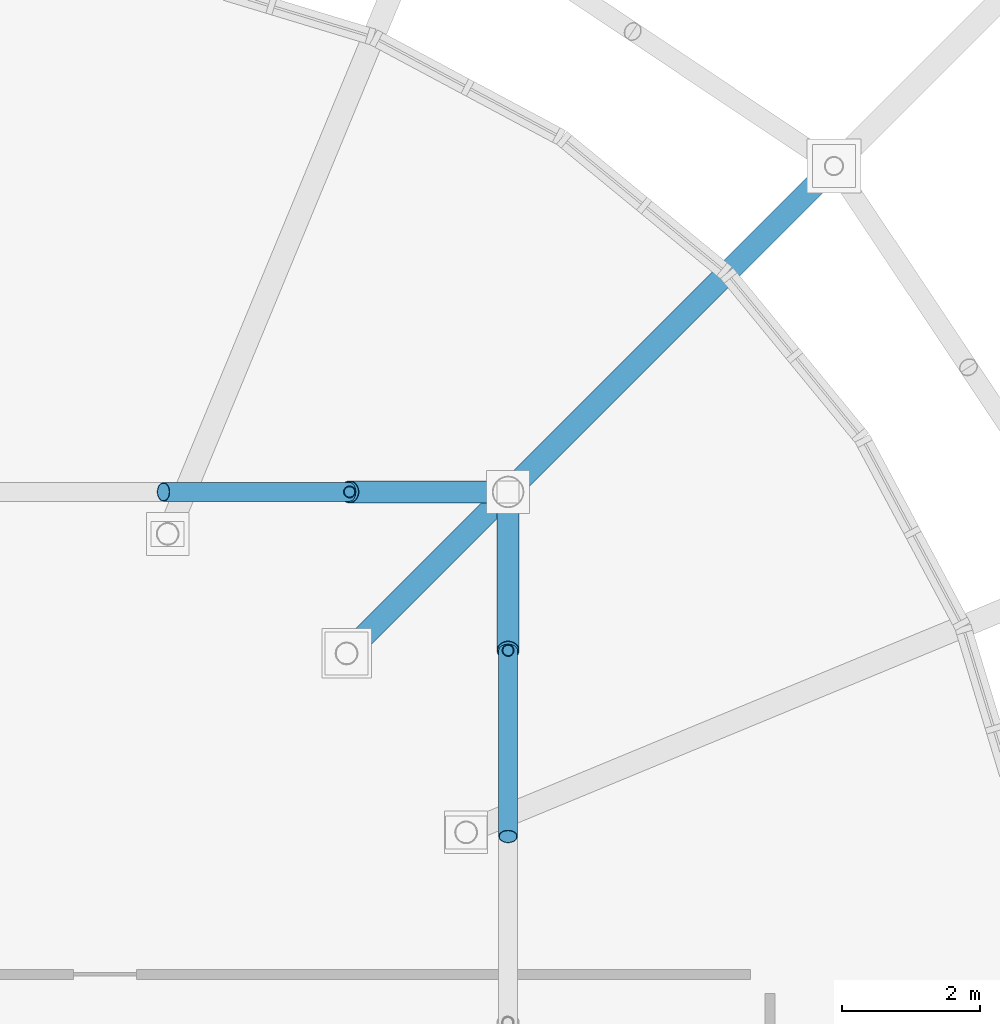
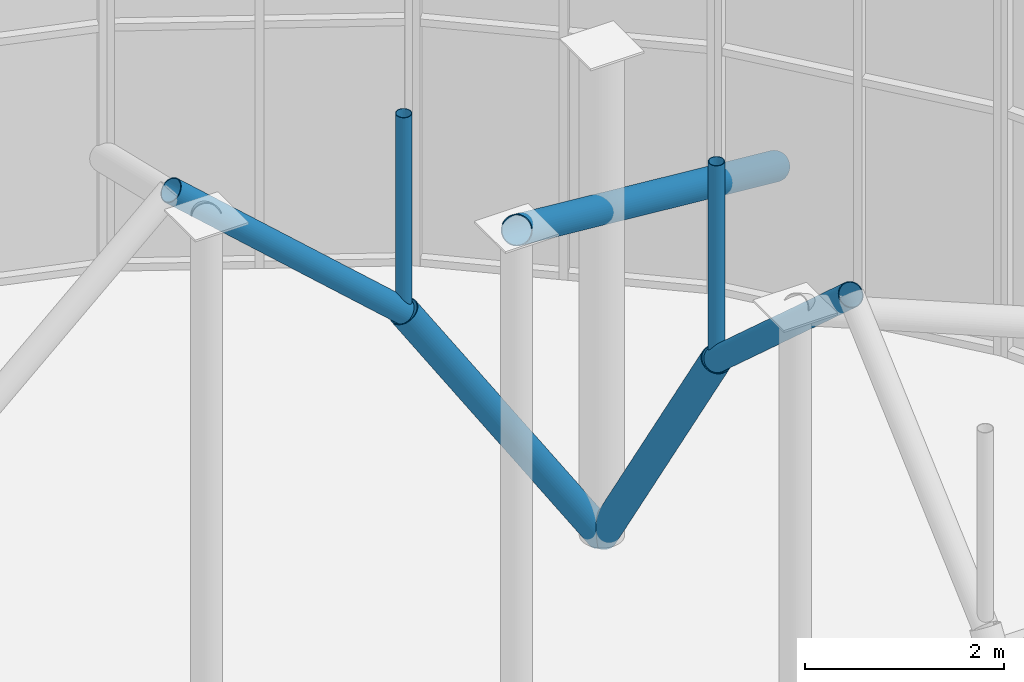
# One storey, part 77 of 109: 7 members.
"""IFC4 building model written with IfcOpenShell, lengths in metres."""

from ifc_helpers import new_model, si_unit, derived_unit, direction, frame, origin, origin_2d_with_axis, place, context, subcontext, project, spatial, hollow_circle, extrude, material, material_profile, profile_set, type_object, element, save


model = new_model("IFC4")

# Units and contexts
model_context = context("Model", 3, precision=1e-05, world=origin(), true_north=direction((0.0, 1.0)))
body_context = subcontext(model_context, "Body", "Model", "MODEL_VIEW")
ifc_project = project(units=[si_unit("LENGTHUNIT", "METRE"), si_unit("AREAUNIT", "SQUARE_METRE"), si_unit("VOLUMEUNIT", "CUBIC_METRE"), si_unit("PLANEANGLEUNIT", "RADIAN"), si_unit("MASSUNIT", "GRAM", prefix="KILO"), derived_unit("THERMALTRANSMITTANCEUNIT", [(si_unit("POWERUNIT", "WATT"), 1), (si_unit("LENGTHUNIT", "METRE"), -2), (si_unit("THERMODYNAMICTEMPERATUREUNIT", "KELVIN"), -1)])], contexts=[model_context])

# Site, building, storey
site_placement = place(None, origin())
site = spatial("IfcSite", under=ifc_project, at=site_placement, CompositionType="ELEMENT")
building_placement = place(site_placement, origin())
building = spatial("IfcBuilding", under=site, at=building_placement, Name="Cinnabar Yard Market Hall", CompositionType="ELEMENT")
storey_placement = place(building_placement, frame((0.0, 0.0, 8.39990234375)))
storey = spatial("IfcBuildingStorey", under=building, at=storey_placement, Name="L02", CompositionType="ELEMENT", Elevation=8.39990234375)

# Members
ifc_material_1 = material(Name="Spotted-gum glulam-clad steel Grade 350 (350 MPa)", Category="steel")
ifc_material_profile_1 = material_profile(ifc_material_1, hollow_circle(Radius=0.136474609375, WallThickness=0.00927734375, at=origin_2d_with_axis()), Name="273.1x9.3CHS")
ifc_profile_set_1 = profile_set([ifc_material_profile_1], Name="Spotted-gum glulam-clad steel Grade 350 (350 MPa)")
member_type_1 = type_object("IfcMemberType", Name="MB-AR01", PredefinedType="USERDEFINED", material=ifc_profile_set_1)
for number, where, z_axis, x_axis, name in (
    (1, (153.699951171875, 64.0, 3.550048828125), (-0.743297488271, 0.0, 0.668961018244), (0.0, -1.0, 0.0), "Pointed Arch Rib 0143"),
    (2, (156.0, 61.699951171875, 3.550048828125), (0.0, -0.743297488271, 0.668961018244), (1.0, 0.0, 0.0), "Pointed Arch Rib 0144"),
):
    element("IfcMember", number, at=place(storey_placement, frame(where, z_axis=z_axis, x_axis=x_axis)), inside=storey, type_object=member_type_1, Name=name, ObjectType="ARCH RIB", PredefinedType="USERDEFINED", context=body_context, shape_type="SweptSolid", body=[
        extrude(hollow_circle(Radius=0.136474609375, WallThickness=0.00927734375, at=origin_2d_with_axis()), origin(), (0.0, 0.0, 1.0), 3.63232421875),
    ])
ifc_material_profile_2 = material_profile(ifc_material_1, hollow_circle(Radius=0.161865234375, WallThickness=0.009521484375, at=origin_2d_with_axis()), Name="323.9x9.5CHS")
ifc_profile_set_2 = profile_set([ifc_material_profile_2], Name="Spotted-gum glulam-clad steel Grade 350 (350 MPa)")
member_type_2 = type_object("IfcMemberType", Name="MB-ST01", PredefinedType="STRUT", material=ifc_profile_set_2)
for number, where, z_axis, x_axis, name in (
    (3, (156.0, 64.0, 0.0), (-0.543744165176, 0.0, 0.839251024925), (0.0, -1.0, 0.0), "Curved Branch Arm Lower 0143"),
    (4, (156.0, 64.0, 0.0), (0.0, -0.543744165176, 0.839251024925), (1.0, 0.0, 0.0), "Curved Branch Arm Lower 0144"),
):
    element("IfcMember", number, at=place(storey_placement, frame(where, z_axis=z_axis, x_axis=x_axis)), inside=storey, type_object=member_type_2, Name=name, PredefinedType="STRUT", context=body_context, shape_type="SweptSolid", body=[
        extrude(hollow_circle(Radius=0.161865234375, WallThickness=0.009521484375, at=origin_2d_with_axis()), origin(), (0.0, 0.0, 1.0), 4.22998046875),
    ])
ifc_material_profile_3 = material_profile(ifc_material_1, hollow_circle(Radius=0.161865234375, WallThickness=0.009521484375, at=origin_2d_with_axis()), Name="323.9x9.5CHS")
ifc_profile_set_3 = profile_set([ifc_material_profile_3], Name="Spotted-gum glulam-clad steel Grade 350 (350 MPa)")
member_type_3 = type_object("IfcMemberType", Name="MB-ST01E", PredefinedType="STRUT", material=ifc_profile_set_3)
member_placement = place(storey_placement, frame((160.727783203125, 68.727783203125, 0.0), z_axis=(-0.606868367863, -0.606868367863, 0.513246108778), x_axis=(0.707106781187, -0.707106781187, 0.0)))
element("IfcMember", 5, at=member_placement, inside=storey, type_object=member_type_3, Name="Corner Radial Inward Arm NE-4", PredefinedType="STRUT", context=body_context, shape_type="SweptSolid", body=[
    extrude(hollow_circle(Radius=0.161865234375, WallThickness=0.009521484375, at=origin_2d_with_axis()), origin(), (0.0, 0.0, 1.0), 11.6513671875),
])
ifc_material_2 = material(Name="Cold-formed steel C350L0", Category="steel")
ifc_material_profile_4 = material_profile(ifc_material_2, hollow_circle(Radius=0.084228515625, WallThickness=0.00634765625, at=origin_2d_with_axis()), Name="168.3x6.4CHS")
ifc_profile_set_4 = profile_set([ifc_material_profile_4], Name="Cold-formed steel C350L0")
member_type_4 = type_object("IfcMemberType", Name="MB-WB01", PredefinedType="STRUT", material=ifc_profile_set_4)
for number, where, z_axis, x_axis, name in (
    (6, (153.699951171875, 64.0, 3.550048828125), (0.0, 0.0, 1.0), (1.0, 0.0, 0.0), "Arch Spandrel Post 0143"),
    (7, (156.0, 61.699951171875, 3.550048828125), (0.0, 0.0, 1.0), (1.0, 0.0, 0.0), "Arch Spandrel Post 0144"),
):
    element("IfcMember", number, at=place(storey_placement, frame(where, z_axis=z_axis, x_axis=x_axis)), inside=storey, type_object=member_type_4, Name=name, PredefinedType="STRUT", context=body_context, shape_type="SweptSolid", body=[
        extrude(hollow_circle(Radius=0.084228515625, WallThickness=0.00634765625, at=origin_2d_with_axis()), origin(), (0.0, 0.0, 1.0), 2.429931640625),
    ])

save(model, "model.ifc")
